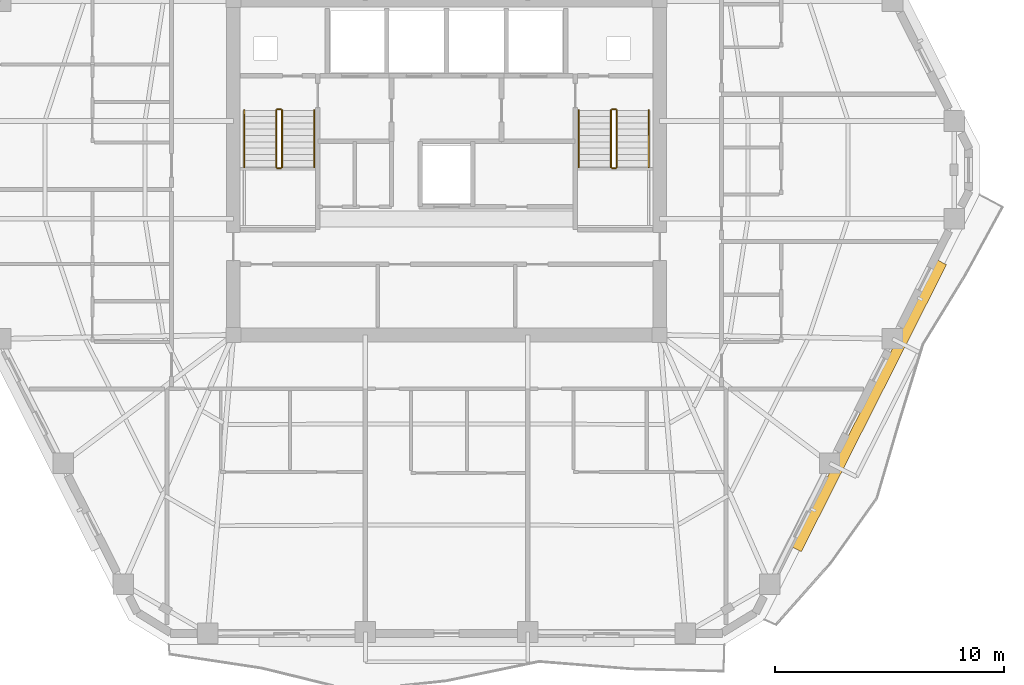
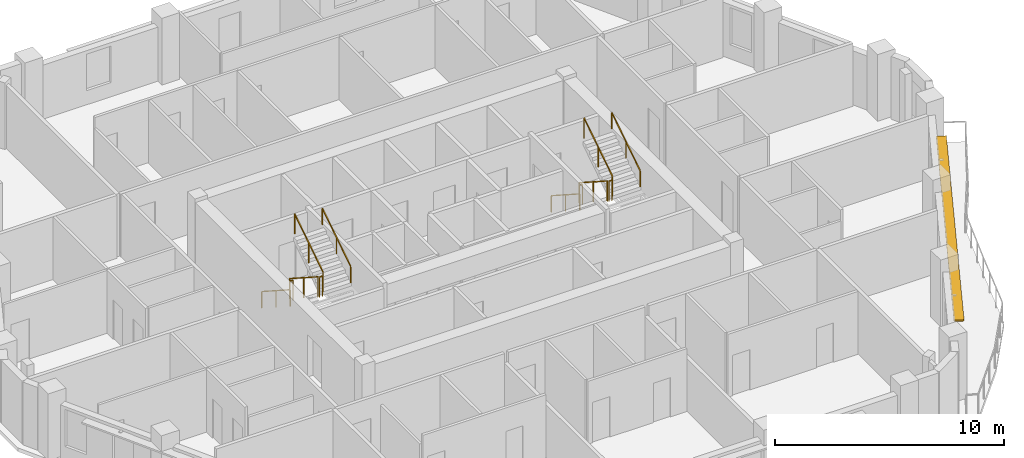
# One storey, part 11 of 12: 12 railings, 1 shading device.
"""IFC4 building model written with IfcOpenShell, lengths in metres."""

from ifc_helpers import new_model, si_unit, direction, frame, origin, origin_2d, place, context, subcontext, project, spatial, rectangle, extrude, material, layer, layer_set, type_object, element, save


model = new_model("IFC4")

# Units and contexts
model_context = context("Model", 3, precision=1e-05, world=origin(), true_north=direction((0.0, 1.0)))
body_context = subcontext(model_context, "Body", "Model", "MODEL_VIEW")
ifc_project = project(units=[si_unit("LENGTHUNIT", "METRE"), si_unit("AREAUNIT", "SQUARE_METRE"), si_unit("VOLUMEUNIT", "CUBIC_METRE"), si_unit("PLANEANGLEUNIT", "RADIAN"), si_unit("MASSUNIT", "GRAM", prefix="KILO")], contexts=[model_context])

# Site, building, storey
site_placement = place(None, origin())
site = spatial("IfcSite", under=ifc_project, at=site_placement, CompositionType="ELEMENT")
building_placement = place(site_placement, origin())
building = spatial("IfcBuilding", under=site, at=building_placement, Name="Cinnabar Lancet Tower", CompositionType="ELEMENT")
storey_placement = place(building_placement, frame((0.0, 0.0, 186.10009765625)))
storey = spatial("IfcBuildingStorey", under=building, at=storey_placement, Name="L49", CompositionType="ELEMENT", Elevation=186.10009765625)

# Shading device
ifc_material_1 = material(Name="Pale limestone architectural aluminium sunshade", Category="masonry")
ifc_layer = layer(ifc_material_1, 0.080078125)
ifc_layer_set = layer_set([ifc_layer], Name="Pale limestone architectural aluminium sunshade")
shading_device_type = type_object("IfcShadingDeviceType", Name="ENV-SHD-LVR-450", PredefinedType="JALOUSIE", material=ifc_layer_set)
shading_device_placement = place(storey_placement, frame((50.845947265625, 15.506103515625, 2.639892578125), z_axis=(0.0, 0.0, 1.0), x_axis=(0.45140713236, 0.892318105193, 0.0)))
element("IfcShadingDevice", 1, at=shading_device_placement, inside=storey, type_object=shading_device_type, Name="L49 Face 2 Horizontal Sunshade Canopy", PredefinedType="JALOUSIE", context=body_context, shape_type="SweptSolid", body=[
    extrude(rectangle(XDim=14.034912109375, YDim=0.449951171875, at=origin_2d()), origin(), (0.0, 0.0, 1.0), 0.080078125),
])

# Railings
ifc_material_2 = material(Name="Painted galvanized steel balustrade", Category="steel")
railing_type_1 = type_object("IfcRailingType", Name="GUARD-STAIR", PredefinedType="GUARDRAIL", material=ifc_material_2)
railing_1_placement = place(storey_placement, frame((24.97509765625, 28.39990234375, 0.177490234375)))
element("IfcRailing", 2, at=railing_1_placement, inside=storey, type_object=railing_type_1, Name="L49 ST-1 stair guard 1", PredefinedType="GUARDRAIL", context=body_context, shape_type="SweptSolid", body=[
    extrude(rectangle(XDim=0.048095703125, YDim=0.048095703125, at=origin_2d()), frame((0.0, 0.0, 1.076171875), z_axis=(0.0, -0.840183358697, 0.542302428327), x_axis=(1.0, 0.0, 0.0)), (0.0, 0.0, 1.0), 2.945556640625),
    extrude(rectangle(XDim=0.0419921875, YDim=0.0419921875, at=origin_2d()), origin(), (0.0, 0.0, 1.0), 1.052001953125),
    extrude(rectangle(XDim=0.0419921875, YDim=0.0419921875, at=origin_2d()), frame((0.0, -1.2373046875, 0.798828125)), (0.0, 0.0, 1.0), 1.052001953125),
    extrude(rectangle(XDim=0.0419921875, YDim=0.0419921875, at=origin_2d()), frame((0.0, -2.474853515625, 1.597412109375)), (0.0, 0.0, 1.0), 1.052001953125),
])
railing_2_placement = place(storey_placement, frame((25.02490234375, 25.875, 1.77490234375)))
element("IfcRailing", 3, at=railing_2_placement, inside=storey, type_object=railing_type_1, Name="L49 ST-1 stair guard 2", PredefinedType="GUARDRAIL", context=body_context, shape_type="SweptSolid", body=[
    extrude(rectangle(XDim=0.048095703125, YDim=0.048095703125, at=origin_2d()), frame((0.0, 0.0, 1.076171875), z_axis=(1.0, 0.0, 0.0), x_axis=(0.0, 1.0, 0.0)), (0.0, 0.0, 1.0), 0.150146484375),
    extrude(rectangle(XDim=0.0419921875, YDim=0.0419921875, at=origin_2d()), origin(), (0.0, 0.0, 1.0), 1.052001953125),
    extrude(rectangle(XDim=0.0419921875, YDim=0.0419921875, at=origin_2d()), frame((0.150146484375, 0.0, 0.0)), (0.0, 0.0, 1.0), 1.052001953125),
])
railing_3_placement = place(storey_placement, frame((25.22509765625, 25.925048828125, 1.952392578125)))
element("IfcRailing", 4, at=railing_3_placement, inside=storey, type_object=railing_type_1, Name="L49 ST-1 stair guard 3", PredefinedType="GUARDRAIL", context=body_context, shape_type="SweptSolid", body=[
    extrude(rectangle(XDim=0.048095703125, YDim=0.048095703125, at=origin_2d()), frame((0.0, 0.0, 1.076171875), z_axis=(0.0, 0.840183358697, 0.542302428327), x_axis=(-1.0, 0.0, 0.0)), (0.0, 0.0, 1.0), 2.945556640625),
    extrude(rectangle(XDim=0.0419921875, YDim=0.0419921875, at=origin_2d()), origin(), (0.0, 0.0, 1.0), 1.052001953125),
    extrude(rectangle(XDim=0.0419921875, YDim=0.0419921875, at=origin_2d()), frame((0.0, 1.2373046875, 0.798828125)), (0.0, 0.0, 1.0), 1.052001953125),
    extrude(rectangle(XDim=0.0419921875, YDim=0.0419921875, at=origin_2d()), frame((0.0, 2.474853515625, 1.597412109375)), (0.0, 0.0, 1.0), 1.052001953125),
])
railing_4_placement = place(storey_placement, frame((25.02490234375, 28.449951171875, 0.0)))
element("IfcRailing", 5, at=railing_4_placement, inside=storey, type_object=railing_type_1, Name="L49 ST-1 stair guard 4", PredefinedType="GUARDRAIL", context=body_context, shape_type="SweptSolid", body=[
    extrude(rectangle(XDim=0.048095703125, YDim=0.048095703125, at=origin_2d()), frame((0.0, 0.0, 1.076171875), z_axis=(1.0, 0.0, 0.0), x_axis=(0.0, 1.0, 0.0)), (0.0, 0.0, 1.0), 0.150146484375),
    extrude(rectangle(XDim=0.0419921875, YDim=0.0419921875, at=origin_2d()), origin(), (0.0, 0.0, 1.0), 1.052001953125),
    extrude(rectangle(XDim=0.0419921875, YDim=0.0419921875, at=origin_2d()), frame((0.150146484375, 0.0, 0.0)), (0.0, 0.0, 1.0), 1.052001953125),
])
railing_5_placement = place(storey_placement, frame((39.574951171875, 28.39990234375, 0.177490234375)))
element("IfcRailing", 6, at=railing_5_placement, inside=storey, type_object=railing_type_1, Name="L49 ST-2 stair guard 1", PredefinedType="GUARDRAIL", context=body_context, shape_type="SweptSolid", body=[
    extrude(rectangle(XDim=0.048095703125, YDim=0.048095703125, at=origin_2d()), frame((0.0, 0.0, 1.076171875), z_axis=(0.0, -0.840183358697, 0.542302428327), x_axis=(1.0, 0.0, 0.0)), (0.0, 0.0, 1.0), 2.945556640625),
    extrude(rectangle(XDim=0.0419921875, YDim=0.0419921875, at=origin_2d()), origin(), (0.0, 0.0, 1.0), 1.052001953125),
    extrude(rectangle(XDim=0.0419921875, YDim=0.0419921875, at=origin_2d()), frame((0.0, -1.2373046875, 0.798828125)), (0.0, 0.0, 1.0), 1.052001953125),
    extrude(rectangle(XDim=0.0419921875, YDim=0.0419921875, at=origin_2d()), frame((0.0, -2.474853515625, 1.597412109375)), (0.0, 0.0, 1.0), 1.052001953125),
])
railing_6_placement = place(storey_placement, frame((39.625, 25.875, 1.77490234375)))
element("IfcRailing", 7, at=railing_6_placement, inside=storey, type_object=railing_type_1, Name="L49 ST-2 stair guard 2", PredefinedType="GUARDRAIL", context=body_context, shape_type="SweptSolid", body=[
    extrude(rectangle(XDim=0.048095703125, YDim=0.048095703125, at=origin_2d()), frame((0.0, 0.0, 1.076171875), z_axis=(1.0, 0.0, 0.0), x_axis=(0.0, 1.0, 0.0)), (0.0, 0.0, 1.0), 0.14990234375),
    extrude(rectangle(XDim=0.0419921875, YDim=0.0419921875, at=origin_2d()), origin(), (0.0, 0.0, 1.0), 1.052001953125),
    extrude(rectangle(XDim=0.0419921875, YDim=0.0419921875, at=origin_2d()), frame((0.14990234375, 0.0, 0.0)), (0.0, 0.0, 1.0), 1.052001953125),
])
railing_7_placement = place(storey_placement, frame((39.824951171875, 25.925048828125, 1.952392578125)))
element("IfcRailing", 8, at=railing_7_placement, inside=storey, type_object=railing_type_1, Name="L49 ST-2 stair guard 3", PredefinedType="GUARDRAIL", context=body_context, shape_type="SweptSolid", body=[
    extrude(rectangle(XDim=0.048095703125, YDim=0.048095703125, at=origin_2d()), frame((0.0, 0.0, 1.076171875), z_axis=(0.0, 0.840183358697, 0.542302428327), x_axis=(-1.0, 0.0, 0.0)), (0.0, 0.0, 1.0), 2.945556640625),
    extrude(rectangle(XDim=0.0419921875, YDim=0.0419921875, at=origin_2d()), origin(), (0.0, 0.0, 1.0), 1.052001953125),
    extrude(rectangle(XDim=0.0419921875, YDim=0.0419921875, at=origin_2d()), frame((0.0, 1.2373046875, 0.798828125)), (0.0, 0.0, 1.0), 1.052001953125),
    extrude(rectangle(XDim=0.0419921875, YDim=0.0419921875, at=origin_2d()), frame((0.0, 2.474853515625, 1.597412109375)), (0.0, 0.0, 1.0), 1.052001953125),
])
railing_8_placement = place(storey_placement, frame((39.625, 28.449951171875, 0.0)))
element("IfcRailing", 9, at=railing_8_placement, inside=storey, type_object=railing_type_1, Name="L49 ST-2 stair guard 4", PredefinedType="GUARDRAIL", context=body_context, shape_type="SweptSolid", body=[
    extrude(rectangle(XDim=0.048095703125, YDim=0.048095703125, at=origin_2d()), frame((0.0, 0.0, 1.076171875), z_axis=(1.0, 0.0, 0.0), x_axis=(0.0, 1.0, 0.0)), (0.0, 0.0, 1.0), 0.14990234375),
    extrude(rectangle(XDim=0.0419921875, YDim=0.0419921875, at=origin_2d()), origin(), (0.0, 0.0, 1.0), 1.052001953125),
    extrude(rectangle(XDim=0.0419921875, YDim=0.0419921875, at=origin_2d()), frame((0.14990234375, 0.0, 0.0)), (0.0, 0.0, 1.0), 1.052001953125),
])
ifc_material_3 = material(Name="Brushed stainless steel handrail", Category="steel")
railing_type_2 = type_object("IfcRailingType", Name="HANDRAIL-STAIR", PredefinedType="HANDRAIL", material=ifc_material_3)
railing_9_placement = place(storey_placement, frame((23.574951171875, 28.39990234375, 0.177490234375)))
element("IfcRailing", 10, at=railing_9_placement, inside=storey, type_object=railing_type_2, Name="L49 ST-1 stair handrail 1", PredefinedType="HANDRAIL", context=body_context, shape_type="SweptSolid", body=[
    extrude(rectangle(XDim=0.048095703125, YDim=0.048095703125, at=origin_2d()), frame((0.0, 0.0, 0.8759765625), z_axis=(0.0, -0.840183358697, 0.542302428327), x_axis=(1.0, 0.0, 0.0)), (0.0, 0.0, 1.0), 2.945556640625),
    extrude(rectangle(XDim=0.0419921875, YDim=0.0419921875, at=origin_2d()), origin(), (0.0, 0.0, 1.0), 0.851806640625),
    extrude(rectangle(XDim=0.0419921875, YDim=0.0419921875, at=origin_2d()), frame((0.0, -1.2373046875, 0.798828125)), (0.0, 0.0, 1.0), 0.851806640625),
    extrude(rectangle(XDim=0.0419921875, YDim=0.0419921875, at=origin_2d()), frame((0.0, -2.474853515625, 1.597412109375)), (0.0, 0.0, 1.0), 0.851806640625),
])
railing_10_placement = place(storey_placement, frame((26.625, 25.925048828125, 1.952392578125)))
element("IfcRailing", 11, at=railing_10_placement, inside=storey, type_object=railing_type_2, Name="L49 ST-1 stair handrail 2", PredefinedType="HANDRAIL", context=body_context, shape_type="SweptSolid", body=[
    extrude(rectangle(XDim=0.048095703125, YDim=0.048095703125, at=origin_2d()), frame((0.0, 0.0, 0.8759765625), z_axis=(0.0, 0.840183358697, 0.542302428327), x_axis=(-1.0, 0.0, 0.0)), (0.0, 0.0, 1.0), 2.945556640625),
    extrude(rectangle(XDim=0.0419921875, YDim=0.0419921875, at=origin_2d()), origin(), (0.0, 0.0, 1.0), 0.851806640625),
    extrude(rectangle(XDim=0.0419921875, YDim=0.0419921875, at=origin_2d()), frame((0.0, 1.2373046875, 0.798828125)), (0.0, 0.0, 1.0), 0.851806640625),
    extrude(rectangle(XDim=0.0419921875, YDim=0.0419921875, at=origin_2d()), frame((0.0, 2.474853515625, 1.597412109375)), (0.0, 0.0, 1.0), 0.851806640625),
])
railing_11_placement = place(storey_placement, frame((38.175048828125, 28.39990234375, 0.177490234375)))
element("IfcRailing", 12, at=railing_11_placement, inside=storey, type_object=railing_type_2, Name="L49 ST-2 stair handrail 1", PredefinedType="HANDRAIL", context=body_context, shape_type="SweptSolid", body=[
    extrude(rectangle(XDim=0.048095703125, YDim=0.048095703125, at=origin_2d()), frame((0.0, 0.0, 0.8759765625), z_axis=(0.0, -0.840183358697, 0.542302428327), x_axis=(1.0, 0.0, 0.0)), (0.0, 0.0, 1.0), 2.945556640625),
    extrude(rectangle(XDim=0.0419921875, YDim=0.0419921875, at=origin_2d()), origin(), (0.0, 0.0, 1.0), 0.851806640625),
    extrude(rectangle(XDim=0.0419921875, YDim=0.0419921875, at=origin_2d()), frame((0.0, -1.2373046875, 0.798828125)), (0.0, 0.0, 1.0), 0.851806640625),
    extrude(rectangle(XDim=0.0419921875, YDim=0.0419921875, at=origin_2d()), frame((0.0, -2.474853515625, 1.597412109375)), (0.0, 0.0, 1.0), 0.851806640625),
])
railing_12_placement = place(storey_placement, frame((41.22509765625, 25.925048828125, 1.952392578125)))
element("IfcRailing", 13, at=railing_12_placement, inside=storey, type_object=railing_type_2, Name="L49 ST-2 stair handrail 2", PredefinedType="HANDRAIL", context=body_context, shape_type="SweptSolid", body=[
    extrude(rectangle(XDim=0.048095703125, YDim=0.048095703125, at=origin_2d()), frame((0.0, 0.0, 0.8759765625), z_axis=(0.0, 0.840183358697, 0.542302428327), x_axis=(-1.0, 0.0, 0.0)), (0.0, 0.0, 1.0), 2.945556640625),
    extrude(rectangle(XDim=0.0419921875, YDim=0.0419921875, at=origin_2d()), origin(), (0.0, 0.0, 1.0), 0.851806640625),
    extrude(rectangle(XDim=0.0419921875, YDim=0.0419921875, at=origin_2d()), frame((0.0, 1.2373046875, 0.798828125)), (0.0, 0.0, 1.0), 0.851806640625),
    extrude(rectangle(XDim=0.0419921875, YDim=0.0419921875, at=origin_2d()), frame((0.0, 2.474853515625, 1.597412109375)), (0.0, 0.0, 1.0), 0.851806640625),
])

save(model, "model.ifc")
